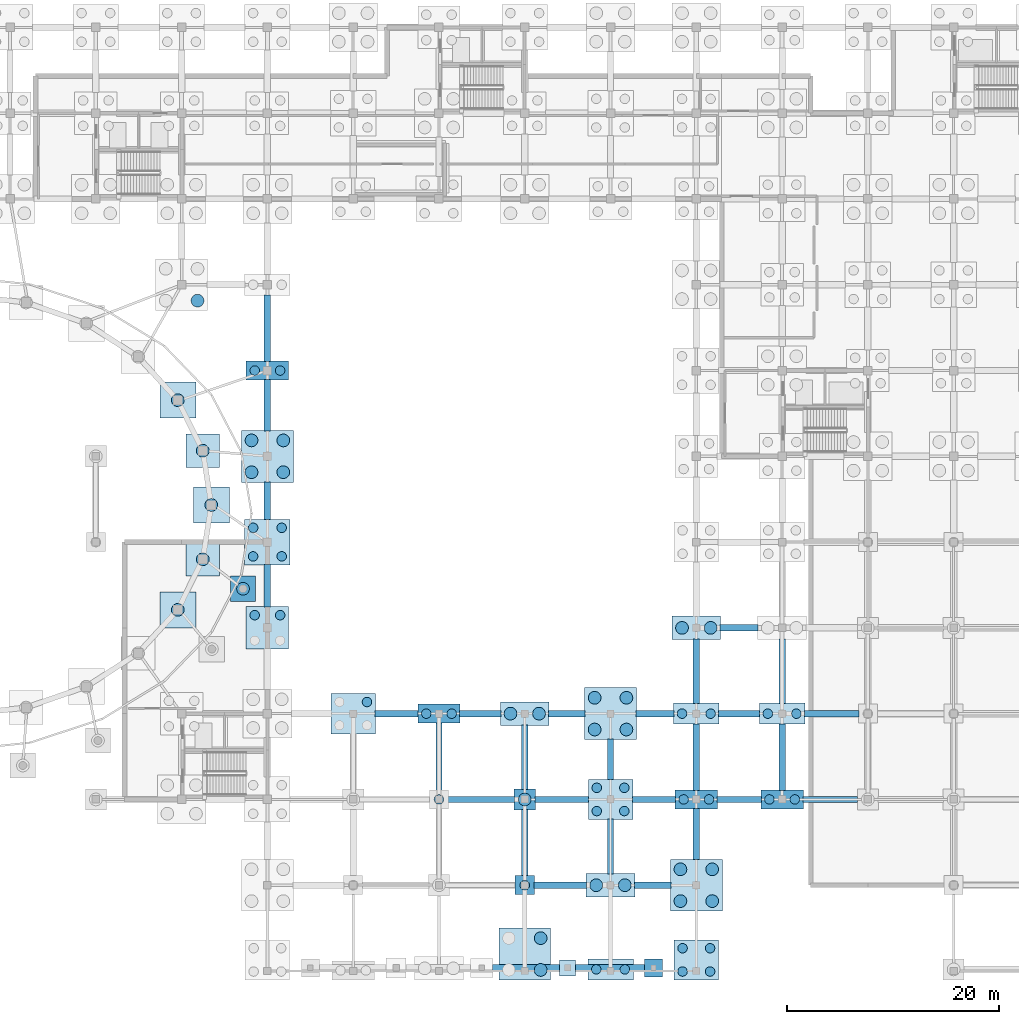
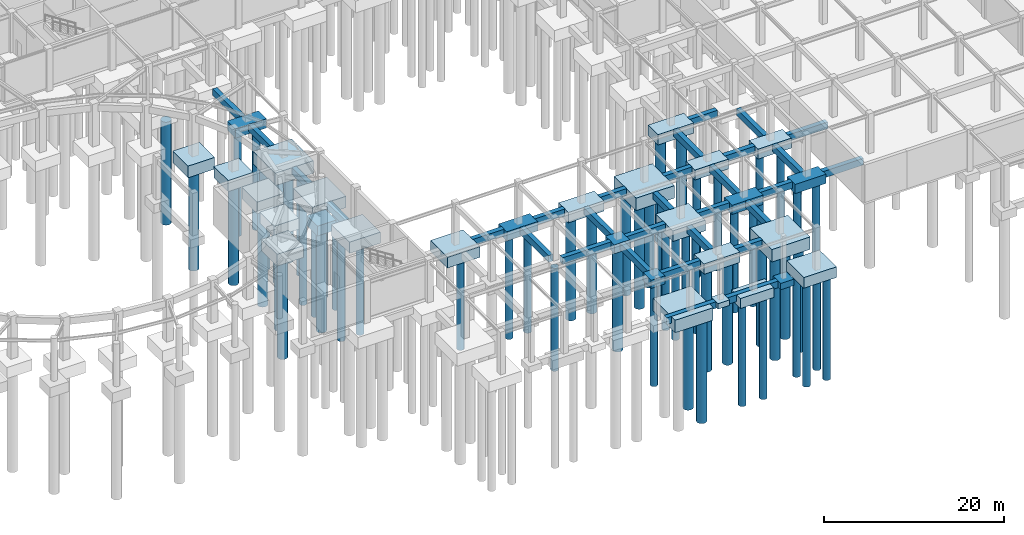
# One storey, part 2 of 26: 59 footings, 59 piles.
"""IFC4 building model written with IfcOpenShell, lengths in metres."""

from ifc_helpers import new_model, si_unit, direction, frame, origin, origin_2d, place, context, subcontext, project, spatial, rectangle, circle, extrude, material, material_profile, profile_set, type_object, element, save


model = new_model("IFC4")

# Units and contexts
model_context = context("Model", 3, precision=1e-05, world=origin(), true_north=direction((0.0, 1.0)))
body_context = subcontext(model_context, "Body", "Model", "MODEL_VIEW")
ifc_project = project(units=[si_unit("LENGTHUNIT", "METRE"), si_unit("AREAUNIT", "SQUARE_METRE"), si_unit("VOLUMEUNIT", "CUBIC_METRE"), si_unit("PLANEANGLEUNIT", "RADIAN"), si_unit("MASSUNIT", "GRAM", prefix="KILO")], contexts=[model_context])

# Site, building, storey
site_placement = place(None, origin())
site = spatial("IfcSite", under=ifc_project, at=site_placement, CompositionType="ELEMENT")
building_placement = place(site_placement, origin())
building = spatial("IfcBuilding", under=site, at=building_placement, Name="Parian Resonance Hall", CompositionType="ELEMENT")
storey_placement = place(building_placement, frame((0.0, 0.0, -5.39990234375)))
storey = spatial("IfcBuildingStorey", under=building, at=storey_placement, Name="B1", CompositionType="ELEMENT", Elevation=-5.39990234375)

# Footings
ifc_material_1 = material(Name="Concrete C35/45", Category="concrete")
ifc_material_profile_1 = material_profile(ifc_material_1, rectangle(XDim=0.60009765625, YDim=0.89990234375, at=origin_2d()), Name="RC-GB-600x900")
ifc_profile_set_1 = profile_set([ifc_material_profile_1], Name="Concrete C35/45")
footing_type_1 = type_object("IfcFootingType", Name="GB-600x900", PredefinedType="FOOTING_BEAM", material=ifc_profile_set_1)
footing_1_placement = place(storey_placement, frame((72.89990234375, 34.360107421875, -0.85009765625), z_axis=(0.0, 1.0, 0.0), x_axis=(-1.0, 0.0, 0.0)))
element("IfcFooting", 1, at=footing_1_placement, inside=storey, type_object=footing_type_1, Name="Foundation tie beam B1-071", PredefinedType="FOOTING_BEAM", context=body_context, shape_type="SweptSolid", body=[
    extrude(rectangle(XDim=0.60009765625, YDim=0.89990234375, at=origin_2d()), origin(), (0.0, 0.0, 1.0), 4.02978515625),
])
footing_2_placement = place(storey_placement, frame((72.89990234375, 42.610107421875, -0.85009765625), z_axis=(0.0, 1.0, 0.0), x_axis=(-1.0, 0.0, 0.0)))
element("IfcFooting", 2, at=footing_2_placement, inside=storey, type_object=footing_type_1, Name="Foundation tie beam B1-072", PredefinedType="FOOTING_BEAM", context=body_context, shape_type="SweptSolid", body=[
    extrude(rectangle(XDim=0.60009765625, YDim=0.89990234375, at=origin_2d()), origin(), (0.0, 0.0, 1.0), 3.579833984375),
])
footing_3_placement = place(storey_placement, frame((72.89990234375, 51.010009765625, -0.85009765625), z_axis=(0.0, 1.0, 0.0), x_axis=(-1.0, 0.0, 0.0)))
element("IfcFooting", 3, at=footing_3_placement, inside=storey, type_object=footing_type_1, Name="Foundation tie beam B1-073", PredefinedType="FOOTING_BEAM", context=body_context, shape_type="SweptSolid", body=[
    extrude(rectangle(XDim=0.60009765625, YDim=0.89990234375, at=origin_2d()), origin(), (0.0, 0.0, 1.0), 4.830078125),
])
footing_4_placement = place(storey_placement, frame((72.89990234375, 57.56005859375, -0.85009765625), z_axis=(0.0, 1.0, 0.0), x_axis=(-1.0, 0.0, 0.0)))
element("IfcFooting", 4, at=footing_4_placement, inside=storey, type_object=footing_type_1, Name="Foundation tie beam B1-074", PredefinedType="FOOTING_BEAM", context=body_context, shape_type="SweptSolid", body=[
    extrude(rectangle(XDim=0.60009765625, YDim=0.89990234375, at=origin_2d()), origin(), (0.0, 0.0, 1.0), 6.280029296875),
])
footing_5_placement = place(storey_placement, frame((83.06005859375, 24.300048828125, -0.85009765625), z_axis=(1.0, 0.0, 0.0), x_axis=(0.0, 1.0, 0.0)))
element("IfcFooting", 5, at=footing_5_placement, inside=storey, type_object=footing_type_1, Name="Foundation tie beam B1-086", PredefinedType="FOOTING_BEAM", context=body_context, shape_type="SweptSolid", body=[
    extrude(rectangle(XDim=0.60009765625, YDim=0.89990234375, at=origin_2d()), origin(), (0.0, 0.0, 1.0), 4.079833984375),
])
footing_6_placement = place(storey_placement, frame((89.9599609375, 16.199951171875, -0.85009765625), z_axis=(1.0, 0.0, 0.0), x_axis=(0.0, 1.0, 0.0)))
element("IfcFooting", 6, at=footing_6_placement, inside=storey, type_object=footing_type_1, Name="Foundation tie beam B1-095", PredefinedType="FOOTING_BEAM", context=body_context, shape_type="SweptSolid", body=[
    extrude(rectangle(XDim=0.60009765625, YDim=0.89990234375, at=origin_2d()), origin(), (0.0, 0.0, 1.0), 6.280029296875),
])
footing_7_placement = place(storey_placement, frame((89.10009765625, 17.06005859375, -0.85009765625), z_axis=(0.0, 1.0, 0.0), x_axis=(-1.0, 0.0, 0.0)))
element("IfcFooting", 7, at=footing_7_placement, inside=storey, type_object=footing_type_1, Name="Foundation tie beam B1-096", PredefinedType="FOOTING_BEAM", context=body_context, shape_type="SweptSolid", body=[
    extrude(rectangle(XDim=0.60009765625, YDim=0.89990234375, at=origin_2d()), origin(), (0.0, 0.0, 1.0), 6.3798828125),
])
footing_8_placement = place(storey_placement, frame((91.06005859375, 24.300048828125, -0.85009765625), z_axis=(1.0, 0.0, 0.0), x_axis=(0.0, 1.0, 0.0)))
element("IfcFooting", 8, at=footing_8_placement, inside=storey, type_object=footing_type_1, Name="Foundation tie beam B1-097", PredefinedType="FOOTING_BEAM", context=body_context, shape_type="SweptSolid", body=[
    extrude(rectangle(XDim=0.60009765625, YDim=0.89990234375, at=origin_2d()), origin(), (0.0, 0.0, 1.0), 3.8798828125),
])
footing_9_placement = place(storey_placement, frame((94.159912109375, 0.300048828125, -0.85009765625), z_axis=(1.0, 0.0, 0.0), x_axis=(0.0, 1.0, 0.0)))
element("IfcFooting", 9, at=footing_9_placement, inside=storey, type_object=footing_type_1, Name="Foundation tie beam B1-103", PredefinedType="FOOTING_BEAM", context=body_context, shape_type="SweptSolid", body=[
    extrude(rectangle(XDim=0.60009765625, YDim=0.89990234375, at=origin_2d()), origin(), (0.0, 0.0, 1.0), 6.380126953125),
])
footing_10_placement = place(storey_placement, frame((98.06005859375, 8.10009765625, -0.85009765625), z_axis=(1.0, 0.0, 0.0), x_axis=(0.0, 1.0, 0.0)))
element("IfcFooting", 10, at=footing_10_placement, inside=storey, type_object=footing_type_1, Name="Foundation tie beam B1-104", PredefinedType="FOOTING_BEAM", context=body_context, shape_type="SweptSolid", body=[
    extrude(rectangle(XDim=0.60009765625, YDim=0.89990234375, at=origin_2d()), origin(), (0.0, 0.0, 1.0), 4.97998046875),
])
footing_11_placement = place(storey_placement, frame((97.199951171875, 8.9599609375, -0.85009765625), z_axis=(0.0, 1.0, 0.0), x_axis=(-1.0, 0.0, 0.0)))
element("IfcFooting", 11, at=footing_11_placement, inside=storey, type_object=footing_type_1, Name="Foundation tie beam B1-105", PredefinedType="FOOTING_BEAM", context=body_context, shape_type="SweptSolid", body=[
    extrude(rectangle(XDim=0.60009765625, YDim=0.89990234375, at=origin_2d()), origin(), (0.0, 0.0, 1.0), 6.280029296875),
])
footing_12_placement = place(storey_placement, frame((98.159912109375, 16.199951171875, -0.85009765625), z_axis=(1.0, 0.0, 0.0), x_axis=(0.0, 1.0, 0.0)))
element("IfcFooting", 12, at=footing_12_placement, inside=storey, type_object=footing_type_1, Name="Foundation tie beam B1-106", PredefinedType="FOOTING_BEAM", context=body_context, shape_type="SweptSolid", body=[
    extrude(rectangle(XDim=0.60009765625, YDim=0.89990234375, at=origin_2d()), origin(), (0.0, 0.0, 1.0), 5.080078125),
])
footing_13_placement = place(storey_placement, frame((97.199951171875, 17.159912109375, -0.85009765625), z_axis=(0.0, 1.0, 0.0), x_axis=(-1.0, 0.0, 0.0)))
element("IfcFooting", 13, at=footing_13_placement, inside=storey, type_object=footing_type_1, Name="Foundation tie beam B1-107", PredefinedType="FOOTING_BEAM", context=body_context, shape_type="SweptSolid", body=[
    extrude(rectangle(XDim=0.60009765625, YDim=0.89990234375, at=origin_2d()), origin(), (0.0, 0.0, 1.0), 6.080078125),
])
footing_14_placement = place(storey_placement, frame((99.4599609375, 24.300048828125, -0.85009765625), z_axis=(1.0, 0.0, 0.0), x_axis=(0.0, 1.0, 0.0)))
element("IfcFooting", 14, at=footing_14_placement, inside=storey, type_object=footing_type_1, Name="Foundation tie beam B1-108", PredefinedType="FOOTING_BEAM", context=body_context, shape_type="SweptSolid", body=[
    extrude(rectangle(XDim=0.60009765625, YDim=0.89990234375, at=origin_2d()), origin(), (0.0, 0.0, 1.0), 3.429931640625),
])
footing_15_placement = place(storey_placement, frame((101.9599609375, 0.300048828125, -0.85009765625), z_axis=(1.0, 0.0, 0.0), x_axis=(0.0, 1.0, 0.0)))
element("IfcFooting", 15, at=footing_15_placement, inside=storey, type_object=footing_type_1, Name="Foundation tie beam B1-114", PredefinedType="FOOTING_BEAM", context=body_context, shape_type="SweptSolid", body=[
    extrude(rectangle(XDim=0.60009765625, YDim=0.89990234375, at=origin_2d()), origin(), (0.0, 0.0, 1.0), 6.580078125),
])
footing_16_placement = place(storey_placement, frame((107.56005859375, 8.10009765625, -0.85009765625), z_axis=(1.0, 0.0, 0.0), x_axis=(0.0, 1.0, 0.0)))
element("IfcFooting", 16, at=footing_16_placement, inside=storey, type_object=footing_type_1, Name="Foundation tie beam B1-115", PredefinedType="FOOTING_BEAM", context=body_context, shape_type="SweptSolid", body=[
    extrude(rectangle(XDim=0.60009765625, YDim=0.89990234375, at=origin_2d()), origin(), (0.0, 0.0, 1.0), 3.429931640625),
])
footing_17_placement = place(storey_placement, frame((105.300048828125, 9.159912109375, -0.85009765625), z_axis=(0.0, 1.0, 0.0), x_axis=(-1.0, 0.0, 0.0)))
element("IfcFooting", 17, at=footing_17_placement, inside=storey, type_object=footing_type_1, Name="Foundation tie beam B1-116", PredefinedType="FOOTING_BEAM", context=body_context, shape_type="SweptSolid", body=[
    extrude(rectangle(XDim=0.60009765625, YDim=0.89990234375, at=origin_2d()), origin(), (0.0, 0.0, 1.0), 5.18017578125),
])
footing_18_placement = place(storey_placement, frame((107.360107421875, 16.199951171875, -0.85009765625), z_axis=(1.0, 0.0, 0.0), x_axis=(0.0, 1.0, 0.0)))
element("IfcFooting", 18, at=footing_18_placement, inside=storey, type_object=footing_type_1, Name="Foundation tie beam B1-117", PredefinedType="FOOTING_BEAM", context=body_context, shape_type="SweptSolid", body=[
    extrude(rectangle(XDim=0.60009765625, YDim=0.89990234375, at=origin_2d()), origin(), (0.0, 0.0, 1.0), 4.079833984375),
])
footing_19_placement = place(storey_placement, frame((105.300048828125, 18.06005859375, -0.85009765625), z_axis=(0.0, 1.0, 0.0), x_axis=(-1.0, 0.0, 0.0)))
element("IfcFooting", 19, at=footing_19_placement, inside=storey, type_object=footing_type_1, Name="Foundation tie beam B1-118", PredefinedType="FOOTING_BEAM", context=body_context, shape_type="SweptSolid", body=[
    extrude(rectangle(XDim=0.60009765625, YDim=0.89990234375, at=origin_2d()), origin(), (0.0, 0.0, 1.0), 3.829833984375),
])
footing_20_placement = place(storey_placement, frame((107.7099609375, 24.300048828125, -0.85009765625), z_axis=(1.0, 0.0, 0.0), x_axis=(0.0, 1.0, 0.0)))
element("IfcFooting", 20, at=footing_20_placement, inside=storey, type_object=footing_type_1, Name="Foundation tie beam B1-119", PredefinedType="FOOTING_BEAM", context=body_context, shape_type="SweptSolid", body=[
    extrude(rectangle(XDim=0.60009765625, YDim=0.89990234375, at=origin_2d()), origin(), (0.0, 0.0, 1.0), 3.580078125),
])
footing_21_placement = place(storey_placement, frame((113.39990234375, 10.510009765625, -0.85009765625), z_axis=(0.0, 1.0, 0.0), x_axis=(-1.0, 0.0, 0.0)))
element("IfcFooting", 21, at=footing_21_placement, inside=storey, type_object=footing_type_1, Name="Foundation tie beam B1-125", PredefinedType="FOOTING_BEAM", context=body_context, shape_type="SweptSolid", body=[
    extrude(rectangle(XDim=0.60009765625, YDim=0.89990234375, at=origin_2d()), origin(), (0.0, 0.0, 1.0), 4.830078125),
])
footing_22_placement = place(storey_placement, frame((115.360107421875, 16.199951171875, -0.85009765625), z_axis=(1.0, 0.0, 0.0), x_axis=(0.0, 1.0, 0.0)))
element("IfcFooting", 22, at=footing_22_placement, inside=storey, type_object=footing_type_1, Name="Foundation tie beam B1-126", PredefinedType="FOOTING_BEAM", context=body_context, shape_type="SweptSolid", body=[
    extrude(rectangle(XDim=0.60009765625, YDim=0.89990234375, at=origin_2d()), origin(), (0.0, 0.0, 1.0), 4.179931640625),
])
footing_23_placement = place(storey_placement, frame((113.39990234375, 17.06005859375, -0.85009765625), z_axis=(0.0, 1.0, 0.0), x_axis=(-1.0, 0.0, 0.0)))
element("IfcFooting", 23, at=footing_23_placement, inside=storey, type_object=footing_type_1, Name="Foundation tie beam B1-127", PredefinedType="FOOTING_BEAM", context=body_context, shape_type="SweptSolid", body=[
    extrude(rectangle(XDim=0.60009765625, YDim=0.89990234375, at=origin_2d()), origin(), (0.0, 0.0, 1.0), 6.280029296875),
])
footing_24_placement = place(storey_placement, frame((115.510009765625, 24.300048828125, -0.85009765625), z_axis=(1.0, 0.0, 0.0), x_axis=(0.0, 1.0, 0.0)))
element("IfcFooting", 24, at=footing_24_placement, inside=storey, type_object=footing_type_1, Name="Foundation tie beam B1-128", PredefinedType="FOOTING_BEAM", context=body_context, shape_type="SweptSolid", body=[
    extrude(rectangle(XDim=0.60009765625, YDim=0.89990234375, at=origin_2d()), origin(), (0.0, 0.0, 1.0), 3.8798828125),
])
footing_25_placement = place(storey_placement, frame((113.39990234375, 25.260009765625, -0.85009765625), z_axis=(0.0, 1.0, 0.0), x_axis=(-1.0, 0.0, 0.0)))
element("IfcFooting", 25, at=footing_25_placement, inside=storey, type_object=footing_type_1, Name="Foundation tie beam B1-129", PredefinedType="FOOTING_BEAM", context=body_context, shape_type="SweptSolid", body=[
    extrude(rectangle(XDim=0.60009765625, YDim=0.89990234375, at=origin_2d()), origin(), (0.0, 0.0, 1.0), 6.080078125),
])
footing_26_placement = place(storey_placement, frame((115.659912109375, 32.39990234375, -0.85009765625), z_axis=(1.0, 0.0, 0.0), x_axis=(0.0, 1.0, 0.0)))
element("IfcFooting", 26, at=footing_26_placement, inside=storey, type_object=footing_type_1, Name="Foundation tie beam B1-130", PredefinedType="FOOTING_BEAM", context=body_context, shape_type="SweptSolid", body=[
    extrude(rectangle(XDim=0.60009765625, YDim=0.89990234375, at=origin_2d()), origin(), (0.0, 0.0, 1.0), 3.580078125),
])
footing_27_placement = place(storey_placement, frame((123.4599609375, 16.199951171875, -0.85009765625), z_axis=(1.0, 0.0, 0.0), x_axis=(0.0, 1.0, 0.0)))
element("IfcFooting", 27, at=footing_27_placement, inside=storey, type_object=footing_type_1, Name="Foundation tie beam B1-145", PredefinedType="FOOTING_BEAM", context=body_context, shape_type="SweptSolid", body=[
    extrude(rectangle(XDim=0.60009765625, YDim=0.89990234375, at=origin_2d()), origin(), (0.0, 0.0, 1.0), 5.179931640625),
])
footing_28_placement = place(storey_placement, frame((121.5, 17.06005859375, -0.85009765625), z_axis=(0.0, 1.0, 0.0), x_axis=(-1.0, 0.0, 0.0)))
element("IfcFooting", 28, at=footing_28_placement, inside=storey, type_object=footing_type_1, Name="Foundation tie beam B1-146", PredefinedType="FOOTING_BEAM", context=body_context, shape_type="SweptSolid", body=[
    extrude(rectangle(XDim=0.60009765625, YDim=0.89990234375, at=origin_2d()), origin(), (0.0, 0.0, 1.0), 6.280029296875),
])
footing_29_placement = place(storey_placement, frame((123.610107421875, 24.300048828125, -0.85009765625), z_axis=(1.0, 0.0, 0.0), x_axis=(0.0, 1.0, 0.0)))
element("IfcFooting", 29, at=footing_29_placement, inside=storey, type_object=footing_type_1, Name="Foundation tie beam B1-147", PredefinedType="FOOTING_BEAM", context=body_context, shape_type="SweptSolid", body=[
    extrude(rectangle(XDim=0.60009765625, YDim=0.89990234375, at=origin_2d()), origin(), (0.0, 0.0, 1.0), 5.1298828125),
])
footing_30_placement = place(storey_placement, frame((121.5, 25.260009765625, -0.85009765625), z_axis=(0.0, 1.0, 0.0), x_axis=(-1.0, 0.0, 0.0)))
element("IfcFooting", 30, at=footing_30_placement, inside=storey, type_object=footing_type_1, Name="Foundation tie beam B1-148", PredefinedType="FOOTING_BEAM", context=body_context, shape_type="SweptSolid", body=[
    extrude(rectangle(XDim=0.60009765625, YDim=0.89990234375, at=origin_2d()), origin(), (0.0, 0.0, 1.0), 6.080078125),
])
ifc_material_2 = material(Name="Concrete C35/45", Category="concrete")
footing_type_2 = type_object("IfcFootingType", Name="PAD-1500", PredefinedType="PAD_FOOTING", material=ifc_material_2)
footing_31_placement = place(storey_placement, frame((101.25, 0.300048828125, -1.150146484375), z_axis=(0.0, 0.0, 1.0), x_axis=(1.0, 0.0, 0.0)))
element("IfcFooting", 31, at=footing_31_placement, inside=storey, type_object=footing_type_2, Name="Arcade pad footing PIL-S-12", PredefinedType="PAD_FOOTING", context=body_context, shape_type="SweptSolid", body=[
    extrude(rectangle(XDim=1.5, YDim=1.5, at=origin_2d()), origin(), (0.0, 0.0, 1.0), 0.75),
])
ifc_material_3 = material(Name="Concrete C35/45", Category="concrete")
footing_type_3 = type_object("IfcFootingType", Name="PAD-1700", PredefinedType="PAD_FOOTING", material=ifc_material_3)
footing_32_placement = place(storey_placement, frame((109.35009765625, 0.300048828125, -1.250244140625), z_axis=(0.0, 0.0, 1.0), x_axis=(1.0, 0.0, 0.0)))
element("IfcFooting", 32, at=footing_32_placement, inside=storey, type_object=footing_type_3, Name="Arcade pad footing PIL-S-13", PredefinedType="PAD_FOOTING", context=body_context, shape_type="SweptSolid", body=[
    extrude(rectangle(XDim=1.699951171875, YDim=1.699951171875, at=origin_2d()), origin(), (0.0, 0.0, 1.0), 0.85009765625),
])
ifc_material_4 = material(Name="Concrete C35/45", Category="concrete")
footing_type_4 = type_object("IfcFootingType", Name="PC-1P-1800", PredefinedType="PILE_CAP", material=ifc_material_4)
footing_33_placement = place(storey_placement, frame((97.199951171875, 8.10009765625, -1.500244140625), z_axis=(0.0, 0.0, 1.0), x_axis=(1.0, 0.0, 0.0)))
element("IfcFooting", 33, at=footing_33_placement, inside=storey, type_object=footing_type_4, Name="Pile cap G13-02", PredefinedType="PILE_CAP", context=body_context, shape_type="SweptSolid", body=[
    extrude(rectangle(XDim=1.800048828125, YDim=1.800048828125, at=origin_2d()), origin(), (0.0, 0.0, 1.0), 1.10009765625),
])
ifc_material_5 = material(Name="Concrete C35/45", Category="concrete")
footing_type_5 = type_object("IfcFootingType", Name="PC-1P-2000", PredefinedType="PILE_CAP", material=ifc_material_5)
footing_34_placement = place(storey_placement, frame((97.199951171875, 16.199951171875, -1.60009765625), z_axis=(0.0, 0.0, 1.0), x_axis=(1.0, 0.0, 0.0)))
element("IfcFooting", 34, at=footing_34_placement, inside=storey, type_object=footing_type_5, Name="Pile cap G13-03", PredefinedType="PILE_CAP", context=body_context, shape_type="SweptSolid", body=[
    extrude(rectangle(XDim=2.0, YDim=2.0, at=origin_2d()), origin(), (0.0, 0.0, 1.0), 1.199951171875),
])
ifc_material_6 = material(Name="Concrete C35/45", Category="concrete")
footing_type_6 = type_object("IfcFootingType", Name="PC-2P-4000x1800", PredefinedType="PILE_CAP", material=ifc_material_6)
for number, where, z_axis, x_axis, name in (
    (35, (72.89990234375, 56.699951171875, -1.650146484375), (0.0, 0.0, 1.0), (1.0, 0.0, 0.0), "Pile cap G10-08"),
    (36, (89.10009765625, 24.300048828125, -1.650146484375), (0.0, 0.0, 1.0), (1.0, 0.0, 0.0), "Pile cap G12-04"),
    (37, (113.39990234375, 16.199951171875, -1.650146484375), (0.0, 0.0, 1.0), (1.0, 0.0, 0.0), "Pile cap G15-03"),
    (38, (121.5, 16.199951171875, -1.650146484375), (0.0, 0.0, 1.0), (1.0, 0.0, 0.0), "Pile cap G16-03"),
):
    element("IfcFooting", number, at=place(storey_placement, frame(where, z_axis=z_axis, x_axis=x_axis)), inside=storey, type_object=footing_type_6, Name=name, PredefinedType="PILE_CAP", context=body_context, shape_type="SweptSolid", body=[
        extrude(rectangle(XDim=4.0, YDim=1.800048828125, at=origin_2d()), origin(), (0.0, 0.0, 1.0), 1.25),
    ])
ifc_material_7 = material(Name="Concrete C35/45", Category="concrete")
footing_type_7 = type_object("IfcFootingType", Name="PC-2P-4300x2000", PredefinedType="PILE_CAP", material=ifc_material_7)
for number, where, z_axis, x_axis, name in (
    (39, (105.300048828125, 0.14990234375, -1.750244140625), (0.0, 0.0, 1.0), (1.0, 0.0, 0.0), "Pile cap G14-01"),
    (40, (113.39990234375, 24.300048828125, -1.750244140625), (0.0, 0.0, 1.0), (1.0, 0.0, 0.0), "Pile cap G15-04"),
    (41, (121.5, 24.300048828125, -1.750244140625), (0.0, 0.0, 1.0), (1.0, 0.0, 0.0), "Pile cap G16-04"),
):
    element("IfcFooting", number, at=place(storey_placement, frame(where, z_axis=z_axis, x_axis=x_axis)), inside=storey, type_object=footing_type_7, Name=name, PredefinedType="PILE_CAP", context=body_context, shape_type="SweptSolid", body=[
        extrude(rectangle(XDim=4.300048828125, YDim=2.0, at=origin_2d()), origin(), (0.0, 0.0, 1.0), 1.35009765625),
    ])
ifc_material_8 = material(Name="Concrete C35/45", Category="concrete")
footing_type_8 = type_object("IfcFootingType", Name="PC-2P-4600x2200", PredefinedType="PILE_CAP", material=ifc_material_8)
for number, where, z_axis, x_axis, name in (
    (42, (97.199951171875, 24.300048828125, -1.800048828125), (0.0, 0.0, 1.0), (1.0, 0.0, 0.0), "Pile cap G13-04"),
    (43, (105.300048828125, 8.10009765625, -1.800048828125), (0.0, 0.0, 1.0), (1.0, 0.0, 0.0), "Pile cap G14-02"),
    (44, (113.39990234375, 32.39990234375, -1.800048828125), (0.0, 0.0, 1.0), (1.0, 0.0, 0.0), "Pile cap G15-05"),
):
    element("IfcFooting", number, at=place(storey_placement, frame(where, z_axis=z_axis, x_axis=x_axis)), inside=storey, type_object=footing_type_8, Name=name, PredefinedType="PILE_CAP", context=body_context, shape_type="SweptSolid", body=[
        extrude(rectangle(XDim=4.60009765625, YDim=2.199951171875, at=origin_2d()), origin(), (0.0, 0.0, 1.0), 1.39990234375),
    ])
ifc_material_9 = material(Name="Concrete C35/45", Category="concrete")
footing_type_9 = type_object("IfcFootingType", Name="PC-3P-4200x3800", PredefinedType="PILE_CAP", material=ifc_material_9)
for number, where, z_axis, x_axis, name in (
    (45, (81.0, 24.300048828125, -1.85009765625), (0.0, 0.0, 1.0), (1.0, 0.0, 0.0), "Pile cap G11-04"),
    (46, (105.300048828125, 16.199951171875, -1.85009765625), (0.0, 0.0, 1.0), (1.0, 0.0, 0.0), "Pile cap G14-03"),
    (47, (113.39990234375, 1.050048828125, -1.85009765625), (0.0, 0.0, 1.0), (1.0, 0.0, 0.0), "Pile cap G15-01"),
):
    element("IfcFooting", number, at=place(storey_placement, frame(where, z_axis=z_axis, x_axis=x_axis)), inside=storey, type_object=footing_type_9, Name=name, PredefinedType="PILE_CAP", context=body_context, shape_type="SweptSolid", body=[
        extrude(rectangle(XDim=4.199951171875, YDim=3.800048828125, at=origin_2d()), origin(), (0.0, 0.0, 1.0), 1.449951171875),
    ])
ifc_material_10 = material(Name="Concrete C35/45", Category="concrete")
footing_type_10 = type_object("IfcFootingType", Name="PC-4P-4000x4000", PredefinedType="PILE_CAP", material=ifc_material_10)
footing_35_placement = place(storey_placement, frame((72.89990234375, 32.39990234375, -1.900146484375), z_axis=(0.0, 0.0, 1.0), x_axis=(1.0, 0.0, 0.0)))
element("IfcFooting", 48, at=footing_35_placement, inside=storey, type_object=footing_type_10, Name="Pile cap G10-05", PredefinedType="PILE_CAP", context=body_context, shape_type="SweptSolid", body=[
    extrude(rectangle(XDim=4.0, YDim=4.0, at=origin_2d()), origin(), (0.0, 0.0, 1.0), 1.5),
])
ifc_material_11 = material(Name="Concrete C35/45", Category="concrete")
footing_type_11 = type_object("IfcFootingType", Name="PC-4P-4300x4300", PredefinedType="PILE_CAP", material=ifc_material_11)
footing_36_placement = place(storey_placement, frame((72.89990234375, 40.5, -1.9501953125), z_axis=(0.0, 0.0, 1.0), x_axis=(1.0, 0.0, 0.0)))
element("IfcFooting", 49, at=footing_36_placement, inside=storey, type_object=footing_type_11, Name="Pile cap G10-06", PredefinedType="PILE_CAP", context=body_context, shape_type="SweptSolid", body=[
    extrude(rectangle(XDim=4.300048828125, YDim=4.300048828125, at=origin_2d()), origin(), (0.0, 0.0, 1.0), 1.550048828125),
])
ifc_material_12 = material(Name="Concrete C35/45", Category="concrete")
footing_type_12 = type_object("IfcFootingType", Name="PC-4P-4900x4900", PredefinedType="PILE_CAP", material=ifc_material_12)
for number, where, z_axis, x_axis, name in (
    (50, (72.89990234375, 48.60009765625, -2.10009765625), (0.0, 0.0, 1.0), (1.0, 0.0, 0.0), "Pile cap G10-07"),
    (51, (97.199951171875, 1.60009765625, -2.10009765625), (0.0, 0.0, 1.0), (1.0, 0.0, 0.0), "Pile cap G13-01"),
    (52, (105.300048828125, 24.300048828125, -2.10009765625), (0.0, 0.0, 1.0), (1.0, 0.0, 0.0), "Pile cap G14-04"),
    (53, (113.39990234375, 8.10009765625, -2.10009765625), (0.0, 0.0, 1.0), (1.0, 0.0, 0.0), "Pile cap G15-02"),
):
    element("IfcFooting", number, at=place(storey_placement, frame(where, z_axis=z_axis, x_axis=x_axis)), inside=storey, type_object=footing_type_12, Name=name, PredefinedType="PILE_CAP", context=body_context, shape_type="SweptSolid", body=[
        extrude(rectangle(XDim=4.89990234375, YDim=4.89990234375, at=origin_2d()), origin(), (0.0, 0.0, 1.0), 1.699951171875),
    ])
ifc_material_13 = material(Name="Concrete C35/45", Category="concrete")
footing_type_13 = type_object("IfcFootingType", Name="PC-DRUM-3200x3200", PredefinedType="PILE_CAP", material=ifc_material_13)
for number, where, z_axis, x_axis, name in (
    (54, (66.7958984375, 49.12451171875, -1.900146484375), (0.0, 0.0, 1.0), (1.0, 0.0, 0.0), "Pile cap DRM-02"),
    (55, (66.7958984375, 38.87548828125, -1.900146484375), (0.0, 0.0, 1.0), (1.0, 0.0, 0.0), "Pile cap DRM-24"),
):
    element("IfcFooting", number, at=place(storey_placement, frame(where, z_axis=z_axis, x_axis=x_axis)), inside=storey, type_object=footing_type_13, Name=name, PredefinedType="PILE_CAP", context=body_context, shape_type="SweptSolid", body=[
        extrude(rectangle(XDim=3.199951171875, YDim=3.199951171875, at=origin_2d()), origin(), (0.0, 0.0, 1.0), 1.5),
    ])
ifc_material_14 = material(Name="Concrete C35/45", Category="concrete")
footing_type_14 = type_object("IfcFootingType", Name="PC-DRUM-3400x3400", PredefinedType="PILE_CAP", material=ifc_material_14)
for number, where, z_axis, x_axis, name in (
    (56, (67.60009765625, 44.0, -2.000244140625), (0.0, 0.0, 1.0), (1.0, 0.0, 0.0), "Pile cap DRM-01"),
    (57, (64.438232421875, 53.89990234375, -2.000244140625), (0.0, 0.0, 1.0), (1.0, 0.0, 0.0), "Pile cap DRM-03"),
    (58, (64.438232421875, 34.10009765625, -2.000244140625), (0.0, 0.0, 1.0), (1.0, 0.0, 0.0), "Pile cap DRM-23"),
):
    element("IfcFooting", number, at=place(storey_placement, frame(where, z_axis=z_axis, x_axis=x_axis)), inside=storey, type_object=footing_type_14, Name=name, PredefinedType="PILE_CAP", context=body_context, shape_type="SweptSolid", body=[
        extrude(rectangle(XDim=3.39990234375, YDim=3.39990234375, at=origin_2d()), origin(), (0.0, 0.0, 1.0), 1.60009765625),
    ])
ifc_material_15 = material(Name="Concrete C35/45", Category="concrete")
footing_type_15 = type_object("IfcFootingType", Name="PC-RING-2400x2400", PredefinedType="PILE_CAP", material=ifc_material_15)
footing_37_placement = place(storey_placement, frame((70.59814453125, 36.091796875, -1.750244140625), z_axis=(0.0, 0.0, 1.0), x_axis=(1.0, 0.0, 0.0)))
element("IfcFooting", 59, at=footing_37_placement, inside=storey, type_object=footing_type_15, Name="Pile cap RNG-24", PredefinedType="PILE_CAP", context=body_context, shape_type="SweptSolid", body=[
    extrude(rectangle(XDim=2.39990234375, YDim=2.39990234375, at=origin_2d()), origin(), (0.0, 0.0, 1.0), 1.35009765625),
])

# Piles
ifc_material_16 = material(Name="Concrete C35/45", Category="concrete")
ifc_material_profile_2 = material_profile(ifc_material_16, circle(Radius=0.60009765625, at=origin_2d()), Name="PILE-D1200")
ifc_profile_set_2 = profile_set([ifc_material_profile_2], Name="Concrete C35/45")
pile_type_1 = type_object("IfcPileType", Name="PILE-1200", PredefinedType="BORED", material=ifc_profile_set_2)
for number, where, z_axis, x_axis, name in (
    (60, (67.60009765625, 44.0, -1.900146484375), (0.0, 0.0, -1.0), (1.0, 0.0, 0.0), "Bored pile DRM-01-1"),
    (61, (66.7958984375, 49.12451171875, -1.800048828125), (0.0, 0.0, -1.0), (1.0, 0.0, 0.0), "Bored pile DRM-02-1"),
    (62, (64.438232421875, 53.89990234375, -1.900146484375), (0.0, 0.0, -1.0), (1.0, 0.0, 0.0), "Bored pile DRM-03-1"),
    (63, (64.438232421875, 34.10009765625, -1.900146484375), (0.0, 0.0, -1.0), (1.0, 0.0, 0.0), "Bored pile DRM-23-1"),
    (64, (66.7958984375, 38.87548828125, -1.800048828125), (0.0, 0.0, -1.0), (1.0, 0.0, 0.0), "Bored pile DRM-24-1"),
    (65, (66.300048828125, 63.300048828125, -2.0), (0.0, 0.0, -1.0), (1.0, 0.0, 0.0), "Bored pile G09-09-3"),
    (66, (71.39990234375, 47.10009765625, -2.0), (0.0, 0.0, -1.0), (1.0, 0.0, 0.0), "Bored pile G10-07-1"),
    (67, (71.39990234375, 50.10009765625, -2.0), (0.0, 0.0, -1.0), (1.0, 0.0, 0.0), "Bored pile G10-07-2"),
    (68, (74.39990234375, 47.10009765625, -2.0), (0.0, 0.0, -1.0), (1.0, 0.0, 0.0), "Bored pile G10-07-3"),
    (69, (74.39990234375, 50.10009765625, -2.0), (0.0, 0.0, -1.0), (1.0, 0.0, 0.0), "Bored pile G10-07-4"),
    (70, (98.699951171875, 0.10009765625, -2.0), (0.0, 0.0, -1.0), (1.0, 0.0, 0.0), "Bored pile G13-01-3"),
    (71, (98.699951171875, 3.10009765625, -2.0), (0.0, 0.0, -1.0), (1.0, 0.0, 0.0), "Bored pile G13-01-4"),
    (72, (97.199951171875, 16.199951171875, -1.5), (0.0, 0.0, -1.0), (1.0, 0.0, 0.0), "Bored pile G13-03-1"),
    (73, (95.85009765625, 24.300048828125, -1.7001953125), (0.0, 0.0, -1.0), (1.0, 0.0, 0.0), "Bored pile G13-04-1"),
    (74, (98.550048828125, 24.300048828125, -1.7001953125), (0.0, 0.0, -1.0), (1.0, 0.0, 0.0), "Bored pile G13-04-2"),
    (75, (103.949951171875, 8.10009765625, -1.7001953125), (0.0, 0.0, -1.0), (1.0, 0.0, 0.0), "Bored pile G14-02-1"),
    (76, (106.64990234375, 8.10009765625, -1.7001953125), (0.0, 0.0, -1.0), (1.0, 0.0, 0.0), "Bored pile G14-02-2"),
    (77, (103.800048828125, 22.800048828125, -2.0), (0.0, 0.0, -1.0), (1.0, 0.0, 0.0), "Bored pile G14-04-1"),
    (78, (103.800048828125, 25.800048828125, -2.0), (0.0, 0.0, -1.0), (1.0, 0.0, 0.0), "Bored pile G14-04-2"),
    (79, (106.800048828125, 22.800048828125, -2.0), (0.0, 0.0, -1.0), (1.0, 0.0, 0.0), "Bored pile G14-04-3"),
    (80, (106.800048828125, 25.800048828125, -2.0), (0.0, 0.0, -1.0), (1.0, 0.0, 0.0), "Bored pile G14-04-4"),
    (81, (111.89990234375, 6.60009765625, -2.0), (0.0, 0.0, -1.0), (1.0, 0.0, 0.0), "Bored pile G15-02-1"),
    (82, (111.89990234375, 9.60009765625, -2.0), (0.0, 0.0, -1.0), (1.0, 0.0, 0.0), "Bored pile G15-02-2"),
    (83, (114.89990234375, 6.60009765625, -2.0), (0.0, 0.0, -1.0), (1.0, 0.0, 0.0), "Bored pile G15-02-3"),
    (84, (114.89990234375, 9.60009765625, -2.0), (0.0, 0.0, -1.0), (1.0, 0.0, 0.0), "Bored pile G15-02-4"),
    (85, (112.050048828125, 32.39990234375, -1.7001953125), (0.0, 0.0, -1.0), (1.0, 0.0, 0.0), "Bored pile G15-05-1"),
    (86, (114.75, 32.39990234375, -1.7001953125), (0.0, 0.0, -1.0), (1.0, 0.0, 0.0), "Bored pile G15-05-2"),
    (87, (70.59814453125, 36.091796875, -1.650146484375), (0.0, 0.0, -1.0), (1.0, 0.0, 0.0), "Bored pile RNG-24-1"),
):
    element("IfcPile", number, at=place(storey_placement, frame(where, z_axis=z_axis, x_axis=x_axis)), inside=storey, type_object=pile_type_1, Name=name, PredefinedType="BORED", context=body_context, shape_type="SweptSolid", body=[
        extrude(circle(Radius=0.60009765625, at=origin_2d()), origin(), (0.0, 0.0, 1.0), 14.0),
    ])
ifc_material_17 = material(Name="Concrete C35/45", Category="concrete")
ifc_material_profile_3 = material_profile(ifc_material_17, circle(Radius=0.449951171875, at=origin_2d()), Name="PILE-D900")
ifc_profile_set_3 = profile_set([ifc_material_profile_3], Name="Concrete C35/45")
pile_type_2 = type_object("IfcPileType", Name="PILE-900", PredefinedType="BORED", material=ifc_profile_set_3)
for number, where, z_axis, x_axis, name in (
    (88, (71.699951171875, 33.60009765625, -1.800048828125), (0.0, 0.0, -1.0), (1.0, 0.0, 0.0), "Bored pile G10-05-2"),
    (89, (74.10009765625, 33.60009765625, -1.800048828125), (0.0, 0.0, -1.0), (1.0, 0.0, 0.0), "Bored pile G10-05-4"),
    (90, (71.550048828125, 39.14990234375, -1.85009765625), (0.0, 0.0, -1.0), (1.0, 0.0, 0.0), "Bored pile G10-06-1"),
    (91, (71.550048828125, 41.85009765625, -1.85009765625), (0.0, 0.0, -1.0), (1.0, 0.0, 0.0), "Bored pile G10-06-2"),
    (92, (74.25, 39.14990234375, -1.85009765625), (0.0, 0.0, -1.0), (1.0, 0.0, 0.0), "Bored pile G10-06-3"),
    (93, (74.25, 41.85009765625, -1.85009765625), (0.0, 0.0, -1.0), (1.0, 0.0, 0.0), "Bored pile G10-06-4"),
    (94, (71.699951171875, 56.699951171875, -1.550048828125), (0.0, 0.0, -1.0), (1.0, 0.0, 0.0), "Bored pile G10-08-1"),
    (95, (74.10009765625, 56.699951171875, -1.550048828125), (0.0, 0.0, -1.0), (1.0, 0.0, 0.0), "Bored pile G10-08-2"),
    (96, (82.300048828125, 25.39990234375, -1.75), (0.0, 0.0, -1.0), (1.0, 0.0, 0.0), "Bored pile G11-04-4"),
    (97, (89.10009765625, 16.199951171875, -1.400146484375), (0.0, 0.0, -1.0), (1.0, 0.0, 0.0), "Bored pile G12-03-1"),
    (98, (87.89990234375, 24.300048828125, -1.550048828125), (0.0, 0.0, -1.0), (1.0, 0.0, 0.0), "Bored pile G12-04-1"),
    (99, (90.300048828125, 24.300048828125, -1.550048828125), (0.0, 0.0, -1.0), (1.0, 0.0, 0.0), "Bored pile G12-04-2"),
    (100, (97.199951171875, 8.10009765625, -1.400146484375), (0.0, 0.0, -1.0), (1.0, 0.0, 0.0), "Bored pile G13-02-1"),
    (101, (103.949951171875, 0.14990234375, -1.650146484375), (0.0, 0.0, -1.0), (1.0, 0.0, 0.0), "Bored pile G14-01-1"),
    (102, (106.64990234375, 0.14990234375, -1.650146484375), (0.0, 0.0, -1.0), (1.0, 0.0, 0.0), "Bored pile G14-01-2"),
    (103, (104.0, 15.10009765625, -1.75), (0.0, 0.0, -1.0), (1.0, 0.0, 0.0), "Bored pile G14-03-1"),
    (104, (104.0, 17.300048828125, -1.75), (0.0, 0.0, -1.0), (1.0, 0.0, 0.0), "Bored pile G14-03-2"),
    (105, (106.60009765625, 15.10009765625, -1.75), (0.0, 0.0, -1.0), (1.0, 0.0, 0.0), "Bored pile G14-03-3"),
    (106, (106.60009765625, 17.300048828125, -1.75), (0.0, 0.0, -1.0), (1.0, 0.0, 0.0), "Bored pile G14-03-4"),
    (107, (112.10009765625, -0.050048828125, -1.75), (0.0, 0.0, -1.0), (1.0, 0.0, 0.0), "Bored pile G15-01-1"),
    (108, (112.10009765625, 2.14990234375, -1.75), (0.0, 0.0, -1.0), (1.0, 0.0, 0.0), "Bored pile G15-01-2"),
    (109, (114.699951171875, -0.050048828125, -1.75), (0.0, 0.0, -1.0), (1.0, 0.0, 0.0), "Bored pile G15-01-3"),
    (110, (114.699951171875, 2.14990234375, -1.75), (0.0, 0.0, -1.0), (1.0, 0.0, 0.0), "Bored pile G15-01-4"),
    (111, (112.199951171875, 16.199951171875, -1.550048828125), (0.0, 0.0, -1.0), (1.0, 0.0, 0.0), "Bored pile G15-03-1"),
    (112, (114.60009765625, 16.199951171875, -1.550048828125), (0.0, 0.0, -1.0), (1.0, 0.0, 0.0), "Bored pile G15-03-2"),
    (113, (112.050048828125, 24.300048828125, -1.650146484375), (0.0, 0.0, -1.0), (1.0, 0.0, 0.0), "Bored pile G15-04-1"),
    (114, (114.75, 24.300048828125, -1.650146484375), (0.0, 0.0, -1.0), (1.0, 0.0, 0.0), "Bored pile G15-04-2"),
    (115, (120.300048828125, 16.199951171875, -1.550048828125), (0.0, 0.0, -1.0), (1.0, 0.0, 0.0), "Bored pile G16-03-1"),
    (116, (122.699951171875, 16.199951171875, -1.550048828125), (0.0, 0.0, -1.0), (1.0, 0.0, 0.0), "Bored pile G16-03-2"),
    (117, (120.14990234375, 24.300048828125, -1.650146484375), (0.0, 0.0, -1.0), (1.0, 0.0, 0.0), "Bored pile G16-04-1"),
    (118, (122.85009765625, 24.300048828125, -1.650146484375), (0.0, 0.0, -1.0), (1.0, 0.0, 0.0), "Bored pile G16-04-2"),
):
    element("IfcPile", number, at=place(storey_placement, frame(where, z_axis=z_axis, x_axis=x_axis)), inside=storey, type_object=pile_type_2, Name=name, PredefinedType="BORED", context=body_context, shape_type="SweptSolid", body=[
        extrude(circle(Radius=0.449951171875, at=origin_2d()), origin(), (0.0, 0.0, 1.0), 14.0),
    ])

save(model, "model.ifc")
